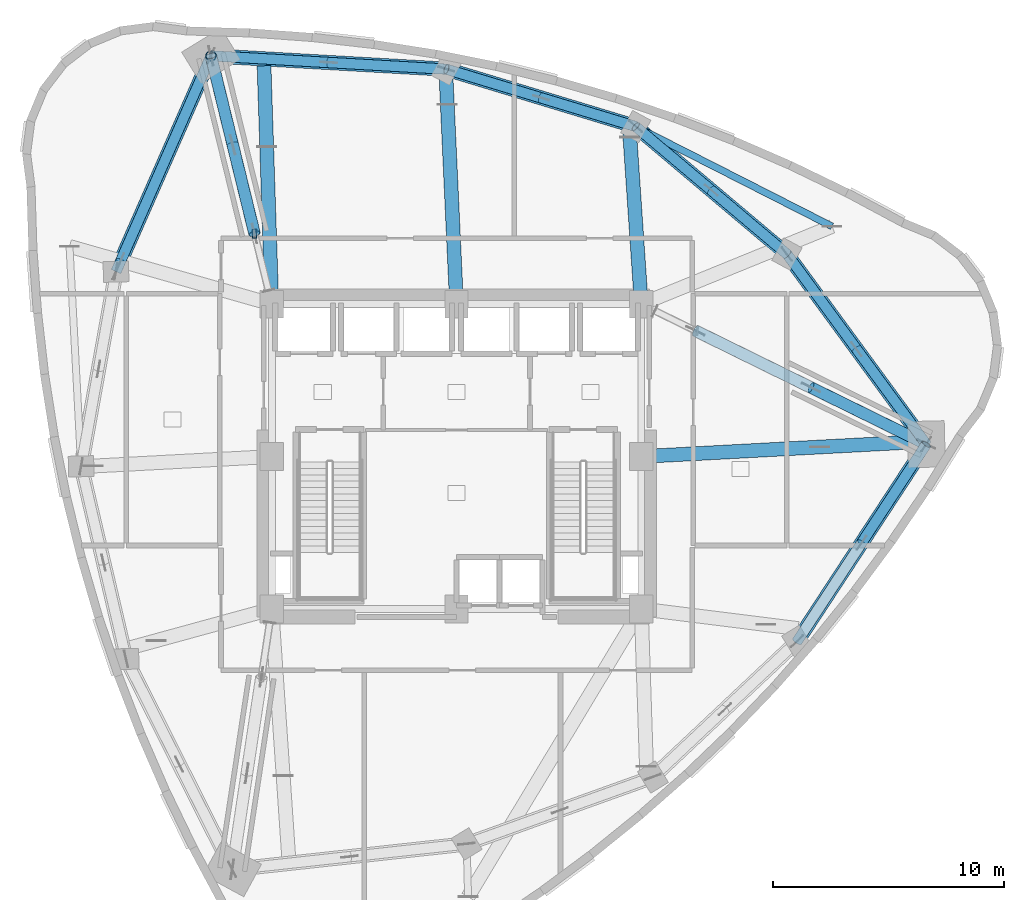
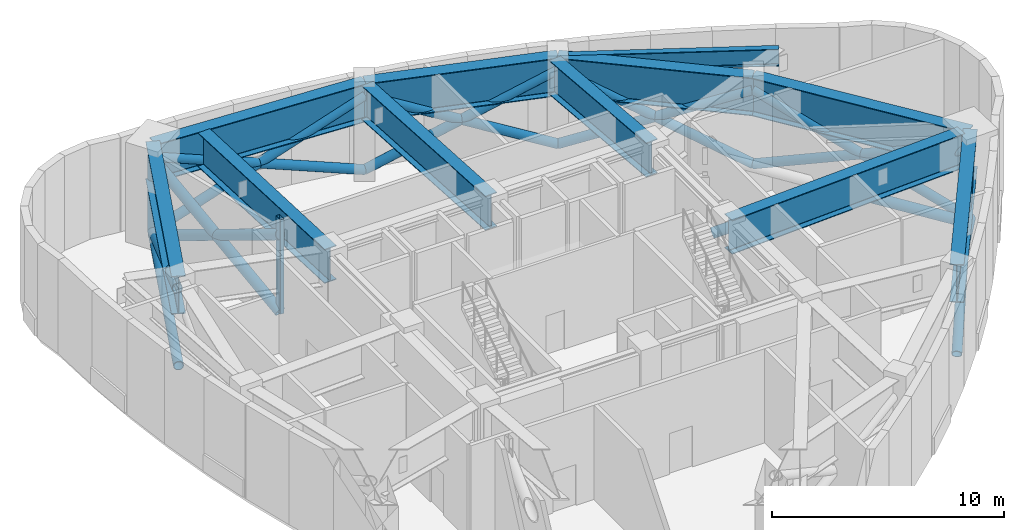
# One storey, part 3 of 12: 23 members, 11 beams.
"""IFC4 building model written with IfcOpenShell, lengths in metres."""

from ifc_helpers import new_model, si_unit, direction, frame, origin, origin_2d, place, context, subcontext, project, spatial, hollow_rectangle, hollow_circle, i_section, extrude, material, material_profile, profile_set, type_object, element, save


model = new_model("IFC4")

# Units and contexts
model_context = context("Model", 3, precision=1e-05, world=origin(), true_north=direction((0.0, 1.0)))
body_context = subcontext(model_context, "Body", "Model", "MODEL_VIEW")
ifc_project = project(units=[si_unit("LENGTHUNIT", "METRE"), si_unit("AREAUNIT", "SQUARE_METRE"), si_unit("VOLUMEUNIT", "CUBIC_METRE"), si_unit("PLANEANGLEUNIT", "RADIAN"), si_unit("MASSUNIT", "GRAM", prefix="KILO")], contexts=[model_context])

# Site, building, storey
site_placement = place(None, origin())
site = spatial("IfcSite", under=ifc_project, at=site_placement, CompositionType="ELEMENT")
building_placement = place(site_placement, origin())
building = spatial("IfcBuilding", under=site, at=building_placement, Name="Ndelora Gate Hotel", CompositionType="ELEMENT")
storey_placement = place(building_placement, frame((0.0, 0.0, 168.5)))
storey = spatial("IfcBuildingStorey", under=building, at=storey_placement, Name="L42", CompositionType="ELEMENT", Elevation=168.5)

# Beams
ifc_material_1 = material(Name="Steel S460", Category="steel")
ifc_material_profile_1 = material_profile(ifc_material_1, i_section(OverallWidth=0.300048828125, OverallDepth=0.89990234375, WebThickness=0.0185546875, FlangeThickness=0.034912109375, FilletRadius=0.030029296875, at=origin_2d()), Name="HEB 900")
ifc_profile_set_1 = profile_set([ifc_material_profile_1], Name="Steel S460")
beam_type_1 = type_object("IfcBeamType", Name="BM-BELT-900", PredefinedType="SPANDREL", material=ifc_profile_set_1)
beam_1_placement = place(storey_placement, frame((16.26025390625, 9.96435546875, 4.510009765625), z_axis=(-0.891245839425, 0.453520510791, 0.0), x_axis=(-0.453520510791, -0.891245839425, 0.0)))
element("IfcBeam", 1, at=beam_1_placement, inside=storey, type_object=beam_type_1, Name="L42 Setback Corner Transfer Edge Tie 3", PredefinedType="SPANDREL", context=body_context, shape_type="SweptSolid", body=[
    extrude(i_section(OverallWidth=0.300048828125, OverallDepth=0.89990234375, WebThickness=0.0185546875, FlangeThickness=0.034912109375, FilletRadius=0.030029296875, at=origin_2d()), origin(), (0.0, 0.0, 1.0), 9.088623046875),
])
ifc_material_profile_2 = material_profile(ifc_material_1, i_section(OverallWidth=0.60009765625, OverallDepth=1.800048828125, WebThickness=0.028076171875, FlangeThickness=0.0400390625, FilletRadius=0.02392578125, at=origin_2d()), Name="PG 1800x600x40")
ifc_profile_set_2 = profile_set([ifc_material_profile_2], Name="Steel S460")
beam_type_2 = type_object("IfcBeamType", Name="BM-TR-1800", PredefinedType="BEAM", material=ifc_profile_set_2)
beam_2_placement = place(storey_placement, frame((8.0, 0.0, 4.06005859375), z_axis=(0.998582799328, 0.053220230055, 0.0), x_axis=(-0.053220230055, 0.998582799328, 0.0)))
element("IfcBeam", 2, at=beam_2_placement, inside=storey, type_object=beam_type_2, Name="L42 Setback Two-Support Radial Transfer Girder 9", PredefinedType="BEAM", context=body_context, shape_type="SweptSolid", body=[
    extrude(i_section(OverallWidth=0.60009765625, OverallDepth=1.800048828125, WebThickness=0.028076171875, FlangeThickness=0.0400390625, FilletRadius=0.02392578125, at=origin_2d()), origin(), (0.0, 0.0, 1.0), 11.97314453125),
])
beam_3_placement = place(storey_placement, frame((8.0, 6.60009765625, 4.06005859375), z_axis=(-0.067878731315, 0.997693579129, 0.0), x_axis=(-0.997693579129, -0.067878731315, 0.0)))
element("IfcBeam", 3, at=beam_3_placement, inside=storey, type_object=beam_type_2, Name="L42 Setback Two-Support Radial Transfer Girder 10", PredefinedType="BEAM", context=body_context, shape_type="SweptSolid", body=[
    extrude(i_section(OverallWidth=0.60009765625, OverallDepth=1.800048828125, WebThickness=0.028076171875, FlangeThickness=0.0400390625, FilletRadius=0.02392578125, at=origin_2d()), origin(), (0.0, 0.0, 1.0), 7.49560546875),
])
beam_4_placement = place(storey_placement, frame((0.0, 6.60009765625, 4.06005859375), z_axis=(-0.046127891454, 0.99893554228, 0.0), x_axis=(-0.99893554228, -0.046127891454, 0.0)))
element("IfcBeam", 4, at=beam_4_placement, inside=storey, type_object=beam_type_2, Name="L42 Setback Two-Support Radial Transfer Girder 11", PredefinedType="BEAM", context=body_context, shape_type="SweptSolid", body=[
    extrude(i_section(OverallWidth=0.60009765625, OverallDepth=1.800048828125, WebThickness=0.028076171875, FlangeThickness=0.0400390625, FilletRadius=0.02392578125, at=origin_2d()), origin(), (0.0, 0.0, 1.0), 9.88671875),
])
beam_5_placement = place(storey_placement, frame((-8.0, 6.60009765625, 4.06005859375), z_axis=(-0.032504102479, 0.999471602059, 0.0), x_axis=(-0.999471602059, -0.032504102479, 0.0)))
element("IfcBeam", 5, at=beam_5_placement, inside=storey, type_object=beam_type_2, Name="L42 Setback Two-Support Radial Transfer Girder 12", PredefinedType="BEAM", context=body_context, shape_type="SweptSolid", body=[
    extrude(i_section(OverallWidth=0.60009765625, OverallDepth=1.800048828125, WebThickness=0.028076171875, FlangeThickness=0.0400390625, FilletRadius=0.02392578125, at=origin_2d()), origin(), (0.0, 0.0, 1.0), 10.32763671875),
])
ifc_material_profile_3 = material_profile(ifc_material_1, i_section(OverallWidth=0.6201171875, OverallDepth=2.0, WebThickness=0.028076171875, FlangeThickness=0.0400390625, FilletRadius=0.02392578125, at=origin_2d()), Name="PG 2000x620x40")
ifc_profile_set_3 = profile_set([ifc_material_profile_3], Name="Steel S460")
beam_type_3 = type_object("IfcBeamType", Name="BM-TR-2000", PredefinedType="BEAM", material=ifc_profile_set_3)
beam_6_placement = place(storey_placement, frame((-10.63330078125, 17.351806640625, 3.9599609375), z_axis=(-0.402852396707, -0.915264959707, 0.0), x_axis=(0.915264959707, -0.402852396707, 0.0)))
element("IfcBeam", 6, at=beam_6_placement, inside=storey, type_object=beam_type_3, Name="L42 Belt Truss Top Chord Girder 1", PredefinedType="BEAM", context=body_context, shape_type="SweptSolid", body=[
    extrude(i_section(OverallWidth=0.6201171875, OverallDepth=2.0, WebThickness=0.028076171875, FlangeThickness=0.0400390625, FilletRadius=0.02392578125, at=origin_2d()), origin(), (0.0, 0.0, 1.0), 10.21044921875),
])
for number, where, z_axis, x_axis, name in (
    (7, (14.74658203125, -8.006591796875, 3.9599609375), (0.548194123818, 0.836351123998, 0.0), (-0.836351123998, 0.548194123818, 0.0), "L42 Belt Truss Top Chord Girder 8"),
    (8, (20.34375, 0.53271484375, 3.9599609375), (-0.591229932094, 0.806503048597, 0.0), (-0.806503048597, -0.591229932094, 0.0), "L42 Belt Truss Top Chord Girder 9"),
):
    element("IfcBeam", number, at=place(storey_placement, frame(where, z_axis=z_axis, x_axis=x_axis)), inside=storey, type_object=beam_type_3, Name=name, PredefinedType="BEAM", context=body_context, shape_type="SweptSolid", body=[
        extrude(i_section(OverallWidth=0.6201171875, OverallDepth=2.0, WebThickness=0.028076171875, FlangeThickness=0.0400390625, FilletRadius=0.02392578125, at=origin_2d()), origin(), (0.0, 0.0, 1.0), 10.210205078125),
    ])
beam_7_placement = place(storey_placement, frame((14.30712890625, 8.767333984375, 3.9599609375), z_axis=(-0.76440691948, 0.644734101356, 0.0), x_axis=(-0.644734101356, -0.76440691948, 0.0)))
element("IfcBeam", 9, at=beam_7_placement, inside=storey, type_object=beam_type_3, Name="L42 Belt Truss Top Chord Girder 10", PredefinedType="BEAM", context=body_context, shape_type="SweptSolid", body=[
    extrude(i_section(OverallWidth=0.6201171875, OverallDepth=2.0, WebThickness=0.028076171875, FlangeThickness=0.0400390625, FilletRadius=0.02392578125, at=origin_2d()), origin(), (0.0, 0.0, 1.0), 8.566162109375),
])
beam_8_placement = place(storey_placement, frame((7.759033203125, 14.290283203125, 3.9599609375), z_axis=(-0.957030396662, 0.289987620192, 0.0), x_axis=(-0.289987620192, -0.957030396662, 0.0)))
element("IfcBeam", 10, at=beam_8_placement, inside=storey, type_object=beam_type_3, Name="L42 Belt Truss Top Chord Girder 11", PredefinedType="BEAM", context=body_context, shape_type="SweptSolid", body=[
    extrude(i_section(OverallWidth=0.6201171875, OverallDepth=2.0, WebThickness=0.028076171875, FlangeThickness=0.0400390625, FilletRadius=0.02392578125, at=origin_2d()), origin(), (0.0, 0.0, 1.0), 8.56640625),
])
beam_9_placement = place(storey_placement, frame((-0.439208984375, 16.7744140625, 3.9599609375), z_axis=(-0.998399808671, 0.056549288648, 0.0), x_axis=(-0.056549288648, -0.998399808671, 0.0)))
element("IfcBeam", 11, at=beam_9_placement, inside=storey, type_object=beam_type_3, Name="L42 Belt Truss Top Chord Girder 12", PredefinedType="BEAM", context=body_context, shape_type="SweptSolid", body=[
    extrude(i_section(OverallWidth=0.6201171875, OverallDepth=2.0, WebThickness=0.028076171875, FlangeThickness=0.0400390625, FilletRadius=0.02392578125, at=origin_2d()), origin(), (0.0, 0.0, 1.0), 10.21044921875),
])

# Members
ifc_material_profile_4 = material_profile(ifc_material_1, hollow_circle(Radius=0.228515625, WallThickness=0.02490234375, at=origin_2d()), Name="CHS 457x25")
ifc_profile_set_4 = profile_set([ifc_material_profile_4], Name="Steel S460")
member_type_1 = type_object("IfcMemberType", Name="MB-BELT-457", PredefinedType="BRACE", material=ifc_profile_set_4)
member_1_placement = place(storey_placement, frame((-10.63330078125, 17.351806640625, 0.239990234375), z_axis=(-0.376078208203, -0.854458517494, 0.35842129289), x_axis=(0.915269039959, -0.402843126406, 0.0)))
element("IfcMember", 12, at=member_1_placement, inside=storey, type_object=member_type_1, Name="L42 Storey-Deep Belt Truss Continuous Diagonal 1A", PredefinedType="BRACE", context=body_context, shape_type="SweptSolid", body=[
    extrude(hollow_circle(Radius=0.228515625, WallThickness=0.02490234375, at=origin_2d()), origin(), (0.0, 0.0, 1.0), 10.39794921875),
])
member_2_placement = place(storey_placement, frame((-14.74658203125, 8.006591796875, 0.239990234375), z_axis=(0.402852396707, 0.915264959707, 0.0), x_axis=(-0.915264959707, 0.402852396707, 0.0)))
element("IfcMember", 13, at=member_2_placement, inside=storey, type_object=member_type_1, Name="L42 Storey-Deep Belt Truss Split Diagonal 1B-Lower", PredefinedType="BRACE", context=body_context, shape_type="SweptSolid", body=[
    extrude(hollow_circle(Radius=0.228515625, WallThickness=0.02490234375, at=origin_2d()), origin(), (0.0, 0.0, 1.0), 10.21044921875),
])
member_3_placement = place(storey_placement, frame((-10.63330078125, 17.351806640625, 0.239990234375), z_axis=(0.0, 0.0, 1.0), x_axis=(1.0, 0.0, 0.0)))
element("IfcMember", 14, at=member_3_placement, inside=storey, type_object=member_type_1, Name="L42 Storey-Deep Belt Truss Split Diagonal 1B-Upper", PredefinedType="BRACE", context=body_context, shape_type="SweptSolid", body=[
    extrude(hollow_circle(Radius=0.228515625, WallThickness=0.02490234375, at=origin_2d()), origin(), (0.0, 0.0, 1.0), 3.919921875),
])
member_4_placement = place(storey_placement, frame((14.74658203125, -8.006591796875, 0.239990234375), z_axis=(0.511773310588, 0.780785792743, 0.358415435523), x_axis=(-0.836351123998, 0.548194123818, 0.0)))
element("IfcMember", 15, at=member_4_placement, inside=storey, type_object=member_type_1, Name="L42 Storey-Deep Belt Truss Continuous Diagonal 8A", PredefinedType="BRACE", context=body_context, shape_type="SweptSolid", body=[
    extrude(hollow_circle(Radius=0.228515625, WallThickness=0.02490234375, at=origin_2d()), origin(), (0.0, 0.0, 1.0), 10.936767578125),
])
member_5_placement = place(storey_placement, frame((20.34375, 0.53271484375, 0.239990234375), z_axis=(-0.511764390816, -0.780794506759, 0.358409188648), x_axis=(0.836358309577, -0.548183160997, 0.0)))
element("IfcMember", 16, at=member_5_placement, inside=storey, type_object=member_type_1, Name="L42 Storey-Deep Belt Truss Split Diagonal 8B-Lower", PredefinedType="BRACE", context=body_context, shape_type="SweptSolid", body=[
    extrude(hollow_circle(Radius=0.228515625, WallThickness=0.02490234375, at=origin_2d()), origin(), (0.0, 0.0, 1.0), 5.468505859375),
])
member_6_placement = place(storey_placement, frame((20.34375, 0.53271484375, 0.239990234375), z_axis=(-0.551950492242, 0.75292154626, 0.358412889405), x_axis=(-0.806503048597, -0.591229932094, 0.0)))
element("IfcMember", 17, at=member_6_placement, inside=storey, type_object=member_type_1, Name="L42 Storey-Deep Belt Truss Continuous Diagonal 9A", PredefinedType="BRACE", context=body_context, shape_type="SweptSolid", body=[
    extrude(hollow_circle(Radius=0.228515625, WallThickness=0.02490234375, at=origin_2d()), origin(), (0.0, 0.0, 1.0), 10.936767578125),
])
member_7_placement = place(storey_placement, frame((14.30712890625, 8.767333984375, 0.239990234375), z_axis=(0.551959769094, -0.752911877861, 0.358418913393), x_axis=(0.806494690105, 0.591241333833, 0.0)))
element("IfcMember", 18, at=member_7_placement, inside=storey, type_object=member_type_1, Name="L42 Storey-Deep Belt Truss Split Diagonal 9B-Lower", PredefinedType="BRACE", context=body_context, shape_type="SweptSolid", body=[
    extrude(hollow_circle(Radius=0.228515625, WallThickness=0.02490234375, at=origin_2d()), origin(), (0.0, 0.0, 1.0), 5.46826171875),
])
member_8_placement = place(storey_placement, frame((17.325439453125, 4.650146484375, 2.199951171875), z_axis=(0.551941215583, -0.752931214171, 0.358406865542), x_axis=(0.806511406605, 0.591218530677, 0.0)))
element("IfcMember", 19, at=member_8_placement, inside=storey, type_object=member_type_1, Name="L42 Storey-Deep Belt Truss Split Diagonal 9B-Upper", PredefinedType="BRACE", context=body_context, shape_type="SweptSolid", body=[
    extrude(hollow_circle(Radius=0.228515625, WallThickness=0.02490234375, at=origin_2d()), origin(), (0.0, 0.0, 1.0), 5.468505859375),
])
member_9_placement = place(storey_placement, frame((14.30712890625, 8.767333984375, 0.239990234375), z_axis=(-0.695088108651, 0.58626759606, 0.416104346315), x_axis=(-0.644734101356, -0.76440691948, 0.0)))
element("IfcMember", 20, at=member_9_placement, inside=storey, type_object=member_type_1, Name="L42 Storey-Deep Belt Truss Continuous Diagonal 10A", PredefinedType="BRACE", context=body_context, shape_type="SweptSolid", body=[
    extrude(hollow_circle(Radius=0.228515625, WallThickness=0.02490234375, at=origin_2d()), origin(), (0.0, 0.0, 1.0), 9.42041015625),
])
member_10_placement = place(storey_placement, frame((7.759033203125, 14.290283203125, 0.239990234375), z_axis=(0.695101502944, -0.586257035255, 0.416096850767), x_axis=(0.644720055481, 0.764418766162, 0.0)))
element("IfcMember", 21, at=member_10_placement, inside=storey, type_object=member_type_1, Name="L42 Storey-Deep Belt Truss Split Diagonal 10B-Lower", PredefinedType="BRACE", context=body_context, shape_type="SweptSolid", body=[
    extrude(hollow_circle(Radius=0.228515625, WallThickness=0.02490234375, at=origin_2d()), origin(), (0.0, 0.0, 1.0), 4.71044921875),
])
member_11_placement = place(storey_placement, frame((11.033203125, 11.52880859375, 2.199951171875), z_axis=(0.695074713634, -0.586278157041, 0.416111841988), x_axis=(0.644748147625, 0.764395072023, 0.0)))
element("IfcMember", 22, at=member_11_placement, inside=storey, type_object=member_type_1, Name="L42 Storey-Deep Belt Truss Split Diagonal 10B-Upper", PredefinedType="BRACE", context=body_context, shape_type="SweptSolid", body=[
    extrude(hollow_circle(Radius=0.228515625, WallThickness=0.02490234375, at=origin_2d()), origin(), (0.0, 0.0, 1.0), 4.710205078125),
])
member_12_placement = place(storey_placement, frame((7.759033203125, 14.290283203125, 0.239990234375), z_axis=(-0.870245483476, 0.263691119546, 0.416100699306), x_axis=(-0.289987620192, -0.957030396662, 0.0)))
element("IfcMember", 23, at=member_12_placement, inside=storey, type_object=member_type_1, Name="L42 Storey-Deep Belt Truss Continuous Diagonal 11A", PredefinedType="BRACE", context=body_context, shape_type="SweptSolid", body=[
    extrude(hollow_circle(Radius=0.228515625, WallThickness=0.02490234375, at=origin_2d()), origin(), (0.0, 0.0, 1.0), 9.420654296875),
])
member_13_placement = place(storey_placement, frame((-0.439208984375, 16.7744140625, 0.239990234375), z_axis=(0.87025143025, -0.263667005699, 0.416103542707), x_axis=(0.289961516503, 0.957038305893, 0.0)))
element("IfcMember", 24, at=member_13_placement, inside=storey, type_object=member_type_1, Name="L42 Storey-Deep Belt Truss Split Diagonal 11B-Lower", PredefinedType="BRACE", context=body_context, shape_type="SweptSolid", body=[
    extrude(hollow_circle(Radius=0.228515625, WallThickness=0.02490234375, at=origin_2d()), origin(), (0.0, 0.0, 1.0), 4.710205078125),
])
member_14_placement = place(storey_placement, frame((3.659912109375, 15.532470703125, 2.199951171875), z_axis=(0.870239536238, -0.263715232899, 0.416097855683), x_axis=(0.290013723234, 0.95702248685, 0.0)))
element("IfcMember", 25, at=member_14_placement, inside=storey, type_object=member_type_1, Name="L42 Storey-Deep Belt Truss Split Diagonal 11B-Upper", PredefinedType="BRACE", context=body_context, shape_type="SweptSolid", body=[
    extrude(hollow_circle(Radius=0.228515625, WallThickness=0.02490234375, at=origin_2d()), origin(), (0.0, 0.0, 1.0), 4.71044921875),
])
member_15_placement = place(storey_placement, frame((-0.439208984375, 16.7744140625, 0.239990234375), z_axis=(-0.932071099696, 0.052792435655, 0.358408180499), x_axis=(-0.056549288648, -0.998399808671, 0.0)))
element("IfcMember", 26, at=member_15_placement, inside=storey, type_object=member_type_1, Name="L42 Storey-Deep Belt Truss Continuous Diagonal 12A", PredefinedType="BRACE", context=body_context, shape_type="SweptSolid", body=[
    extrude(hollow_circle(Radius=0.228515625, WallThickness=0.02490234375, at=origin_2d()), origin(), (0.0, 0.0, 1.0), 10.93701171875),
])
member_16_placement = place(storey_placement, frame((-10.63330078125, 17.351806640625, 0.239990234375), z_axis=(0.932072930682, -0.052813596944, 0.358400301155), x_axis=(0.056571772527, 0.998398534931, 0.0)))
element("IfcMember", 27, at=member_16_placement, inside=storey, type_object=member_type_1, Name="L42 Storey-Deep Belt Truss Split Diagonal 12B-Lower", PredefinedType="BRACE", context=body_context, shape_type="SweptSolid", body=[
    extrude(hollow_circle(Radius=0.228515625, WallThickness=0.02490234375, at=origin_2d()), origin(), (0.0, 0.0, 1.0), 5.46875),
])
member_17_placement = place(storey_placement, frame((-5.5361328125, 17.06298828125, 2.199951171875), z_axis=(0.932069268152, -0.052771273409, 0.358416060005), x_axis=(0.056526803606, 0.998401081968, 0.0)))
element("IfcMember", 28, at=member_17_placement, inside=storey, type_object=member_type_1, Name="L42 Storey-Deep Belt Truss Split Diagonal 12B-Upper", PredefinedType="BRACE", context=body_context, shape_type="SweptSolid", body=[
    extrude(hollow_circle(Radius=0.228515625, WallThickness=0.02490234375, at=origin_2d()), origin(), (0.0, 0.0, 1.0), 5.468505859375),
])
ifc_material_profile_5 = material_profile(ifc_material_1, hollow_circle(Radius=0.25390625, WallThickness=0.028076171875, at=origin_2d()), Name="CHS 508x28")
ifc_profile_set_5 = profile_set([ifc_material_profile_5], Name="Steel S460")
member_type_2 = type_object("IfcMemberType", Name="MB-OUT-508", PredefinedType="BRACE", material=ifc_profile_set_5)
member_18_placement = place(storey_placement, frame((-8.7470703125, 9.64990234375, 0.0), z_axis=(-0.211733925174, 0.864557356648, 0.455751381781), x_axis=(-0.97129585988, -0.237874657287, 0.0)))
element("IfcMember", 29, at=member_18_placement, inside=storey, type_object=member_type_2, Name="L42 Core-to-Mega-Column Outrigger Continuous Arm 1A", PredefinedType="BRACE", context=body_context, shape_type="SweptSolid", body=[
    extrude(hollow_circle(Radius=0.25390625, WallThickness=0.028076171875, at=origin_2d()), origin(), (0.0, 0.0, 1.0), 8.908447265625),
])
member_19_placement = place(storey_placement, frame((-8.7470703125, 9.64990234375, 4.06005859375), z_axis=(-0.211728908551, 0.864564277371, -0.45574058364), x_axis=(-0.971297601969, -0.237867543832, 0.0)))
element("IfcMember", 30, at=member_19_placement, inside=storey, type_object=member_type_2, Name="L42 Core-to-Mega-Column Outrigger Split Arm 1B-Upper", PredefinedType="BRACE", context=body_context, shape_type="SweptSolid", body=[
    extrude(hollow_circle(Radius=0.25390625, WallThickness=0.028076171875, at=origin_2d()), origin(), (0.0, 0.0, 1.0), 4.454345703125),
])
member_20_placement = place(storey_placement, frame((-9.690185546875, 13.5009765625, 2.030029296875), z_axis=(-0.211738941994, 0.864550435433, -0.455762180348), x_axis=(-0.971294117635, -0.237881771155, 0.0)))
element("IfcMember", 31, at=member_20_placement, inside=storey, type_object=member_type_2, Name="L42 Core-to-Mega-Column Outrigger Split Arm 1B-Lower", PredefinedType="BRACE", context=body_context, shape_type="SweptSolid", body=[
    extrude(hollow_circle(Radius=0.25390625, WallThickness=0.028076171875, at=origin_2d()), origin(), (0.0, 0.0, 1.0), 4.4541015625),
])
member_21_placement = place(storey_placement, frame((10.35009765625, 5.44482421875, 0.0), z_axis=(0.843155626203, -0.414430331734, 0.34254355948), x_axis=(0.441117054327, 0.897449577626, 0.0)))
element("IfcMember", 32, at=member_21_placement, inside=storey, type_object=member_type_2, Name="L42 Core-to-Mega-Column Outrigger Continuous Arm 3A", PredefinedType="BRACE", context=body_context, shape_type="SweptSolid", body=[
    extrude(hollow_circle(Radius=0.25390625, WallThickness=0.028076171875, at=origin_2d()), origin(), (0.0, 0.0, 1.0), 11.852783203125),
])
member_22_placement = place(storey_placement, frame((15.346923828125, 2.98876953125, 2.030029296875), z_axis=(0.843155626203, -0.414430331734, -0.34254355948), x_axis=(0.441117054327, 0.897449577626, 0.0)))
element("IfcMember", 33, at=member_22_placement, inside=storey, type_object=member_type_2, Name="L42 Core-to-Mega-Column Outrigger Split Arm 3B-Lower", PredefinedType="BRACE", context=body_context, shape_type="SweptSolid", body=[
    extrude(hollow_circle(Radius=0.25390625, WallThickness=0.028076171875, at=origin_2d()), origin(), (0.0, 0.0, 1.0), 5.92626953125),
])
ifc_material_2 = material(Name="Steel S355", Category="steel")
ifc_material_profile_6 = material_profile(ifc_material_2, hollow_rectangle(XDim=0.199951171875, YDim=0.39990234375, WallThickness=0.01611328125, InnerFilletRadius=0.01611328125, OuterFilletRadius=0.031982421875, at=origin_2d()), Name="RHS 400x200x16")
ifc_profile_set_6 = profile_set([ifc_material_profile_6], Name="Steel S355")
member_type_3 = type_object("IfcMemberType", Name="MB-POST-400", PredefinedType="POST", material=ifc_profile_set_6)
member_23_placement = place(storey_placement, frame((-8.7470703125, 9.64990234375, 0.0), z_axis=(0.0, 0.0, 1.0), x_axis=(1.0, 0.0, 0.0)))
element("IfcMember", 34, at=member_23_placement, inside=storey, type_object=member_type_3, Name="L42 Outrigger Spine Vertical Post 1", PredefinedType="POST", context=body_context, shape_type="SweptSolid", body=[
    extrude(hollow_rectangle(XDim=0.199951171875, YDim=0.39990234375, WallThickness=0.01611328125, InnerFilletRadius=0.01611328125, OuterFilletRadius=0.031982421875, at=origin_2d()), origin(), (0.0, 0.0, 1.0), 4.9599609375),
])

save(model, "model.ifc")
